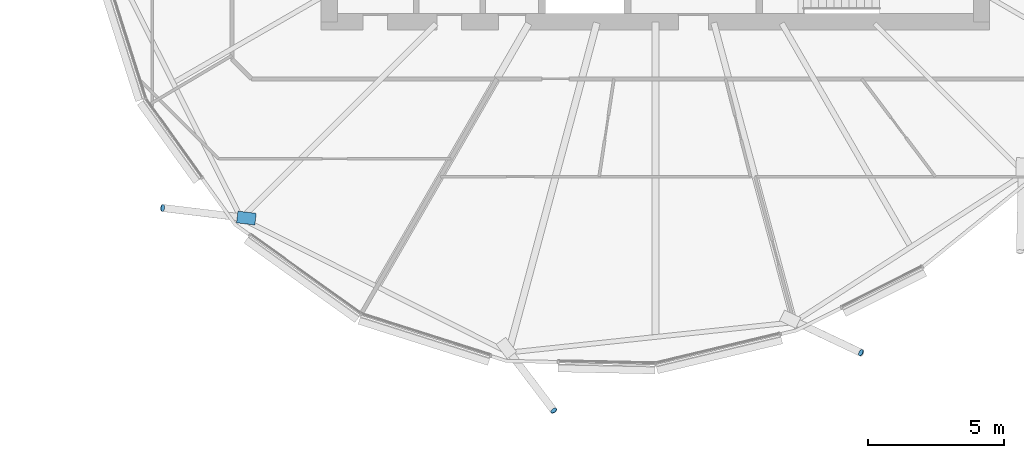
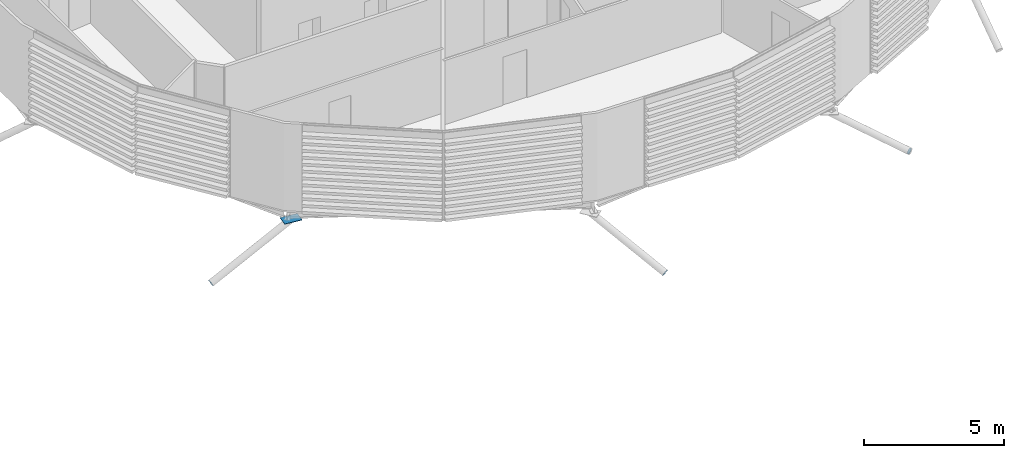
# One storey, part 29 of 36: 4 discrete accessories.
"""IFC4 building model written with IfcOpenShell, lengths in metres."""

from ifc_helpers import new_model, si_unit, direction, frame, origin, origin_2d, place, context, subcontext, project, spatial, polyline, rectangle, circle, outline, extrude, material, material_profile, profile_set, type_object, element, save


model = new_model("IFC4")

# Units and contexts
model_context = context("Model", 3, precision=1e-05, world=origin(), true_north=direction((0.0, 1.0)))
body_context = subcontext(model_context, "Body", "Model", "MODEL_VIEW")
ifc_project = project(units=[si_unit("LENGTHUNIT", "METRE"), si_unit("AREAUNIT", "SQUARE_METRE"), si_unit("VOLUMEUNIT", "CUBIC_METRE"), si_unit("PLANEANGLEUNIT", "RADIAN"), si_unit("MASSUNIT", "GRAM", prefix="KILO")], contexts=[model_context])

# Site, building, storey
site_placement = place(None, origin())
site = spatial("IfcSite", under=ifc_project, at=site_placement, CompositionType="ELEMENT")
building_placement = place(site_placement, origin())
building = spatial("IfcBuilding", under=site, at=building_placement, Name="Rimbun Link Towers", CompositionType="ELEMENT")
storey_placement = place(building_placement, frame((0.0, 0.0, 189.300048828125)))
storey = spatial("IfcBuildingStorey", under=building, at=storey_placement, Name="L46", CompositionType="ELEMENT", Elevation=189.300048828125)

# Discrete accessories
ifc_material_1 = material(Name="Steel S355J2H", Category="steel")
ifc_material_profile_1 = material_profile(ifc_material_1, circle(Radius=0.1240234375, at=origin_2d()), Name="PL D248")
ifc_profile_set_1 = profile_set([ifc_material_profile_1], Name="Steel S355J2H")
discrete_accessory_type_1 = type_object("IfcDiscreteAccessoryType", Name="Link foot sealing plate D248X20", PredefinedType="BRACKET", material=ifc_profile_set_1)
discrete_accessory_1_placement = place(storey_placement, frame((13.628662109375, -14.84912109375, -2.624267578125), z_axis=(-0.844609553683, 0.097925745355, -0.52635088128), x_axis=(-0.11517052012, -0.993345736033, 0.0)))
element("IfcDiscreteAccessory", 1, at=discrete_accessory_1_placement, inside=storey, type_object=discrete_accessory_type_1, Name="Link foot sealing plate T2 L46 12", PredefinedType="BRACKET", context=body_context, shape_type="SweptSolid", body=[
    extrude(circle(Radius=0.1240234375, at=origin_2d()), origin(), (0.0, 0.0, 1.0), 0.02001953125),
])
discrete_accessory_2_placement = place(storey_placement, frame((28.00830078125, -22.29931640625, -2.692626953125), z_axis=(0.503076952119, -0.674859326013, -0.53988746081), x_axis=(0.801745863781, 0.597665098455, 0.0)))
element("IfcDiscreteAccessory", 2, at=discrete_accessory_2_placement, inside=storey, type_object=discrete_accessory_type_1, Name="Link foot sealing plate T2 L46 14", PredefinedType="BRACKET", context=body_context, shape_type="SweptSolid", body=[
    extrude(circle(Radius=0.1240234375, at=origin_2d()), origin(), (0.0, 0.0, 1.0), 0.019775390625),
])
discrete_accessory_3_placement = place(storey_placement, frame((39.309814453125, -20.169921875, -2.64404296875), z_axis=(0.75688592537, -0.354027287673, -0.549352687769), x_axis=(0.423685108901, 0.905809543169, 0.0)))
element("IfcDiscreteAccessory", 3, at=discrete_accessory_3_placement, inside=storey, type_object=discrete_accessory_type_1, Name="Link foot sealing plate T2 L46 16", PredefinedType="BRACKET", context=body_context, shape_type="SweptSolid", body=[
    extrude(circle(Radius=0.1240234375, at=origin_2d()), origin(), (0.0, 0.0, 1.0), 0.02001953125),
])
ifc_material_2 = material(Name="Steel S355J2H", Category="steel")
ifc_material_profile_2 = material_profile(ifc_material_2, rectangle(XDim=0.43310546875, YDim=0.43310546875, at=origin_2d()), Name="PL 433x433")
ifc_profile_set_2 = profile_set([ifc_material_profile_2], Name="Steel S355J2H")
discrete_accessory_type_2 = type_object("IfcDiscreteAccessoryType", Name="Link head end plate 433X20", PredefinedType="BRACKET", material=ifc_profile_set_2)
discrete_accessory_4_placement = place(storey_placement, frame((0.0, 0.0, -0.703125)))
element("IfcDiscreteAccessory", 4, at=discrete_accessory_4_placement, inside=storey, type_object=discrete_accessory_type_2, Name="Link head end plate T2 L46 12", PredefinedType="BRACKET", context=body_context, shape_type="SweptSolid", body=[
    extrude(outline(polyline([(17.065185546875, -15.045166015625), (16.39208984375, -14.964111328125), (16.34033203125, -15.39404296875), (17.01318359375, -15.47509765625), (17.065185546875, -15.045166015625)])), origin(), (0.0, 0.0, 1.0), 0.02001953125),
])

save(model, "model.ifc")
